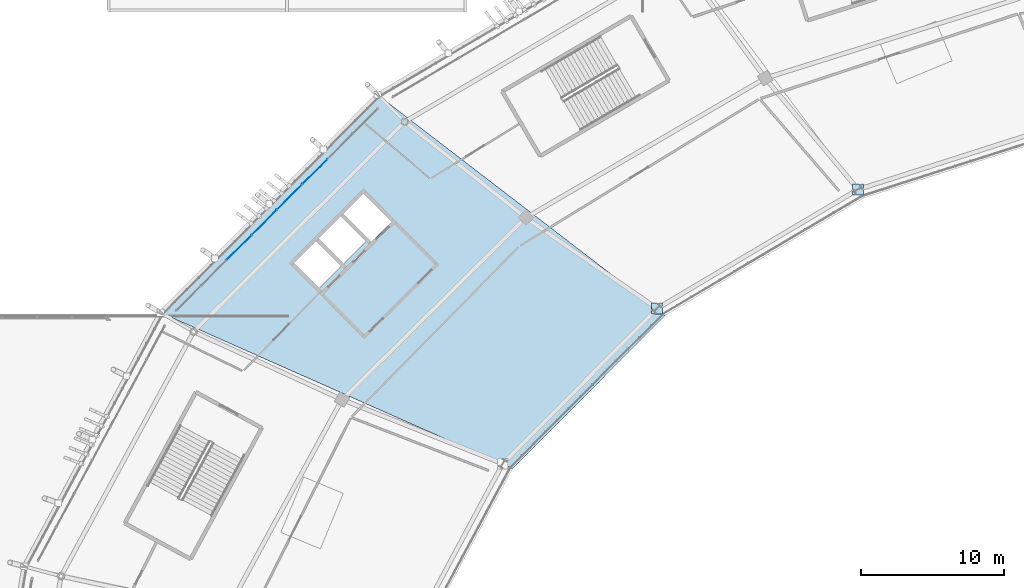
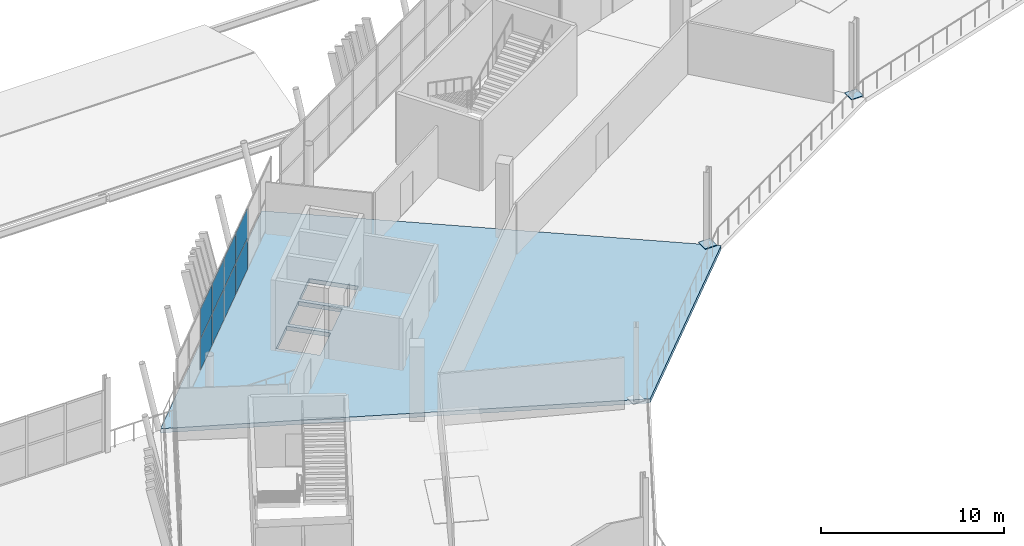
# One storey, part 95 of 179: 10 plates, 1 slab, 1 element without a shape of its own.
"""IFC4 building model written with IfcOpenShell, lengths in metres."""

from ifc_helpers import new_model, si_unit, direction, frame, origin, origin_2d, place, context, subcontext, project, spatial, polyline, rectangle, outline, extrude, material, layer, layer_set, type_object, element, aggregate, save


model = new_model("IFC4")

# Units and contexts
model_context = context("Model", 3, precision=1e-05, world=origin(), true_north=direction((0.0, 1.0)))
body_context = subcontext(model_context, "Body", "Model", "MODEL_VIEW")
ifc_project = project(units=[si_unit("LENGTHUNIT", "METRE"), si_unit("AREAUNIT", "SQUARE_METRE"), si_unit("VOLUMEUNIT", "CUBIC_METRE"), si_unit("PLANEANGLEUNIT", "RADIAN"), si_unit("MASSUNIT", "GRAM", prefix="KILO")], contexts=[model_context])

# Site, building, storey
site_placement = place(None, origin())
site = spatial("IfcSite", under=ifc_project, at=site_placement, CompositionType="ELEMENT")
building_placement = place(site_placement, origin())
building = spatial("IfcBuilding", under=site, at=building_placement, Name="Zlatoyarsky Gate Stadium", CompositionType="ELEMENT")
storey_placement = place(building_placement, frame((0.0, 0.0, 10.60009765625)))
storey = spatial("IfcBuildingStorey", under=building, at=storey_placement, Name="L02", CompositionType="ELEMENT", Elevation=10.60009765625)

# Slab
ifc_material_1 = material(Name="Concrete C40/50", Category="concrete")
ifc_layer_1 = layer(ifc_material_1, 0.280029296875)
ifc_layer_set_1 = layer_set([ifc_layer_1], Name="Concrete C40/50")
slab_type = type_object("IfcSlabType", Name="CONCRETE HOSPITALITY SLAB 280", PredefinedType="FLOOR", material=ifc_layer_set_1)
slab_placement = place(storey_placement, frame((0.0, 0.0, -0.280029296875)))
element("IfcSlab", 1, at=slab_placement, inside=storey, type_object=slab_type, Name="L02 bowl sector 09 slab", PredefinedType="FLOOR", context=body_context, shape_type="SweptSolid", body=[
    extrude(outline(polyline([(52.802978515625, 105.89990234375), (28.14208984375, 116.837890625), (43.346923828125, 132.0966796875), (63.482421875, 116.628173828125), (52.802978515625, 105.89990234375)]), holes=[polyline([(39.02490234375, 121.870849609375), (37.46533203125, 120.319091796875), (39.228759765625, 118.547119140625), (40.7880859375, 120.0986328125), (39.02490234375, 121.870849609375)]), polyline([(42.52490234375, 121.82666015625), (40.76171875, 123.598876953125), (39.2021484375, 122.047119140625), (40.965576171875, 120.27490234375), (42.52490234375, 121.82666015625)]), polyline([(44.331787109375, 123.200927734375), (42.356689453125, 125.185791015625), (40.93896484375, 123.775146484375), (42.913818359375, 121.790283203125), (44.331787109375, 123.200927734375)])]), origin(), (0.0, 0.0, 1.0), 0.280029296875),
])

# Plates
ifc_material_2 = material(Name="Steel S355", Category="steel")
ifc_layer_2 = layer(ifc_material_2, 0.0400390625)
ifc_layer_set_2 = layer_set([ifc_layer_2], Name="Steel S355")
plate_type_1 = type_object("IfcPlateType", Name="STEEL COLUMN BASE PLATE 40", PredefinedType="USERDEFINED", material=ifc_layer_set_2)
for number, where, z_axis, x_axis, name in (
    (2, (77.0, 125.46630859375, 0.0), (0.0, 0.0, 1.0), (1.0, 0.0, 0.0), "Column base plate BP-01 at RA-08 L02"),
    (3, (62.916748046875, 117.123046875, 0.0), (0.0, 0.0, 1.0), (1.0, 0.0, 0.0), "Column base plate BP-01 at RA-09 L02"),
):
    element("IfcPlate", number, at=place(storey_placement, frame(where, z_axis=z_axis, x_axis=x_axis)), inside=storey, type_object=plate_type_1, Name=name, ObjectType="BASE PLATE", PredefinedType="USERDEFINED", context=body_context, shape_type="SweptSolid", body=[
        extrude(rectangle(XDim=0.75, YDim=0.75, at=origin_2d()), origin(), (0.0, 0.0, 1.0), 0.0400390625),
    ])

# Curtain wall, plates
ifc_material_3 = material(Name="Thermally broken anodised aluminium curtain wall", Category="aluminium")
curtain_wall_type = type_object("IfcCurtainWallType", Name="UNITISED HOSPITALITY GLAZING L02", PredefinedType="USERDEFINED", material=ifc_material_3)
curtain_wall_placement = place(storey_placement, origin())
curtain_wall = element("IfcCurtainWall", 4, at=curtain_wall_placement, inside=storey, type_object=curtain_wall_type, Name="Curtain wall CW-L02-09", ObjectType="UNITISED GLAZING", PredefinedType="USERDEFINED")
ifc_material_4 = material(Name="Triple-glazed argon low-e architectural glass", Category="glass")
ifc_layer_3 = layer(ifc_material_4, 0.0380859375)
ifc_layer_set_3 = layer_set([ifc_layer_3], Name="Triple-glazed argon low-e architectural glass")
plate_type_2 = type_object("IfcPlateType", Name="TRIPLE GLAZED LOW E CURTAIN PANEL 38", PredefinedType="CURTAIN_PANEL", material=ifc_layer_set_3)
plate_1_placement = place(storey_placement, frame((38.952880859375, 126.706298828125, 0.06494140625), z_axis=(0.0, 0.0, 1.0), x_axis=(-0.706625557031, -0.707587678066, 0.0)))
plate_1 = element("IfcPlate", 5, at=plate_1_placement, type_object=plate_type_2, Name="CW-UG2 panel 3.1", PredefinedType="CURTAIN_PANEL", context=body_context, shape_type="SweptSolid", body=[
    extrude(rectangle(XDim=2.4423828125, YDim=0.0380859375, at=origin_2d()), origin(), (0.0, 0.0, 1.0), 2.052490234375),
])
plate_2_placement = place(storey_placement, frame((38.952880859375, 126.706298828125, 2.1826171875), z_axis=(0.0, 0.0, 1.0), x_axis=(-0.706625557031, -0.707587678066, 0.0)))
plate_2 = element("IfcPlate", 6, at=plate_2_placement, type_object=plate_type_2, Name="CW-UG2 panel 3.2", PredefinedType="CURTAIN_PANEL", context=body_context, shape_type="SweptSolid", body=[
    extrude(rectangle(XDim=2.4423828125, YDim=0.0380859375, at=origin_2d()), origin(), (0.0, 0.0, 1.0), 1.952392578125),
])
plate_3_placement = place(storey_placement, frame((37.18115234375, 124.931884765625, 0.06494140625), z_axis=(0.0, 0.0, 1.0), x_axis=(-0.706625557031, -0.707587678066, 0.0)))
plate_3 = element("IfcPlate", 7, at=plate_3_placement, type_object=plate_type_2, Name="CW-UG2 panel 4.1", PredefinedType="CURTAIN_PANEL", context=body_context, shape_type="SweptSolid", body=[
    extrude(rectangle(XDim=2.4423828125, YDim=0.0380859375, at=origin_2d()), origin(), (0.0, 0.0, 1.0), 2.052490234375),
])
plate_4_placement = place(storey_placement, frame((37.18115234375, 124.931884765625, 2.1826171875), z_axis=(0.0, 0.0, 1.0), x_axis=(-0.706625557031, -0.707587678066, 0.0)))
plate_4 = element("IfcPlate", 8, at=plate_4_placement, type_object=plate_type_2, Name="CW-UG2 panel 4.2", PredefinedType="CURTAIN_PANEL", context=body_context, shape_type="SweptSolid", body=[
    extrude(rectangle(XDim=2.4423828125, YDim=0.0380859375, at=origin_2d()), origin(), (0.0, 0.0, 1.0), 1.952392578125),
])
plate_5_placement = place(storey_placement, frame((35.4091796875, 123.15771484375, 0.06494140625), z_axis=(0.0, 0.0, 1.0), x_axis=(-0.706625557031, -0.707587678066, 0.0)))
plate_5 = element("IfcPlate", 9, at=plate_5_placement, type_object=plate_type_2, Name="CW-UG2 panel 5.1", PredefinedType="CURTAIN_PANEL", context=body_context, shape_type="SweptSolid", body=[
    extrude(rectangle(XDim=2.4423828125, YDim=0.0380859375, at=origin_2d()), origin(), (0.0, 0.0, 1.0), 2.052490234375),
])
plate_6_placement = place(storey_placement, frame((35.4091796875, 123.15771484375, 2.1826171875), z_axis=(0.0, 0.0, 1.0), x_axis=(-0.706625557031, -0.707587678066, 0.0)))
plate_6 = element("IfcPlate", 10, at=plate_6_placement, type_object=plate_type_2, Name="CW-UG2 panel 5.2", PredefinedType="CURTAIN_PANEL", context=body_context, shape_type="SweptSolid", body=[
    extrude(rectangle(XDim=2.4423828125, YDim=0.0380859375, at=origin_2d()), origin(), (0.0, 0.0, 1.0), 1.952392578125),
])
plate_7_placement = place(storey_placement, frame((33.637451171875, 121.383544921875, 0.06494140625), z_axis=(0.0, 0.0, 1.0), x_axis=(-0.706625557031, -0.707587678066, 0.0)))
plate_7 = element("IfcPlate", 11, at=plate_7_placement, type_object=plate_type_2, Name="CW-UG2 panel 6.1", PredefinedType="CURTAIN_PANEL", context=body_context, shape_type="SweptSolid", body=[
    extrude(rectangle(XDim=2.4423828125, YDim=0.0380859375, at=origin_2d()), origin(), (0.0, 0.0, 1.0), 2.052490234375),
])
plate_8_placement = place(storey_placement, frame((33.637451171875, 121.383544921875, 2.1826171875), z_axis=(0.0, 0.0, 1.0), x_axis=(-0.706625557031, -0.707587678066, 0.0)))
plate_8 = element("IfcPlate", 12, at=plate_8_placement, type_object=plate_type_2, Name="CW-UG2 panel 6.2", PredefinedType="CURTAIN_PANEL", context=body_context, shape_type="SweptSolid", body=[
    extrude(rectangle(XDim=2.4423828125, YDim=0.0380859375, at=origin_2d()), origin(), (0.0, 0.0, 1.0), 1.952392578125),
])
aggregate(curtain_wall, [plate_1, plate_2, plate_3, plate_4, plate_5, plate_6, plate_7, plate_8])

save(model, "model.ifc")
